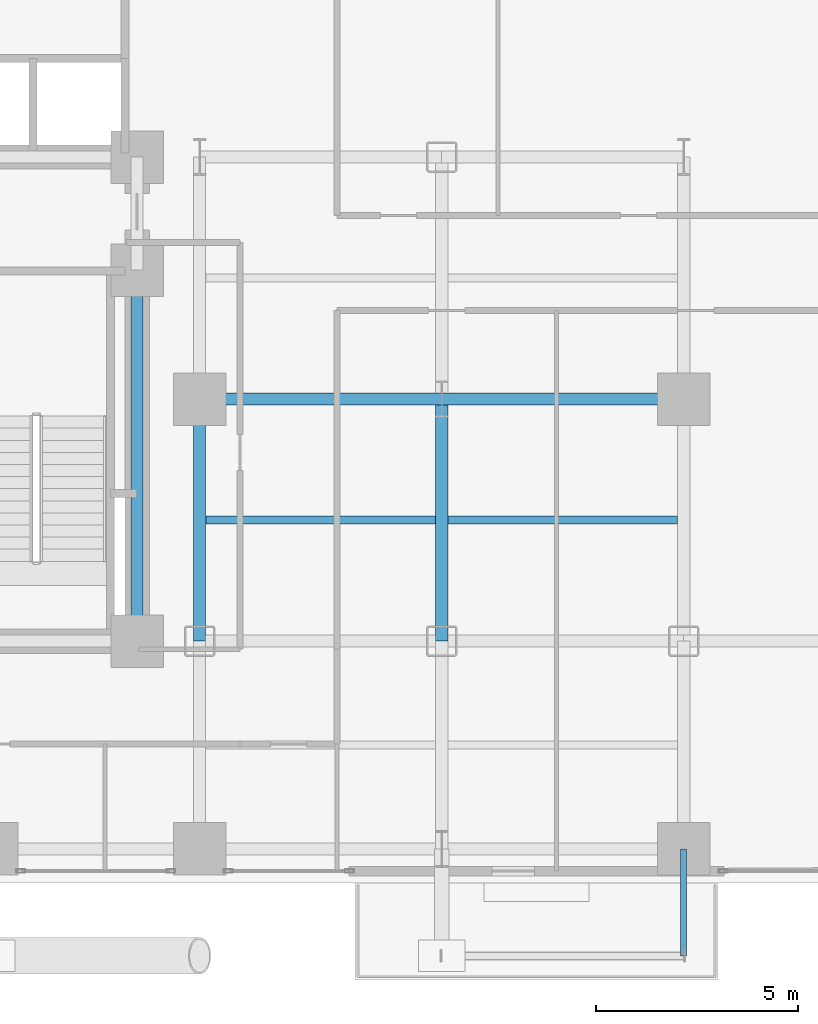
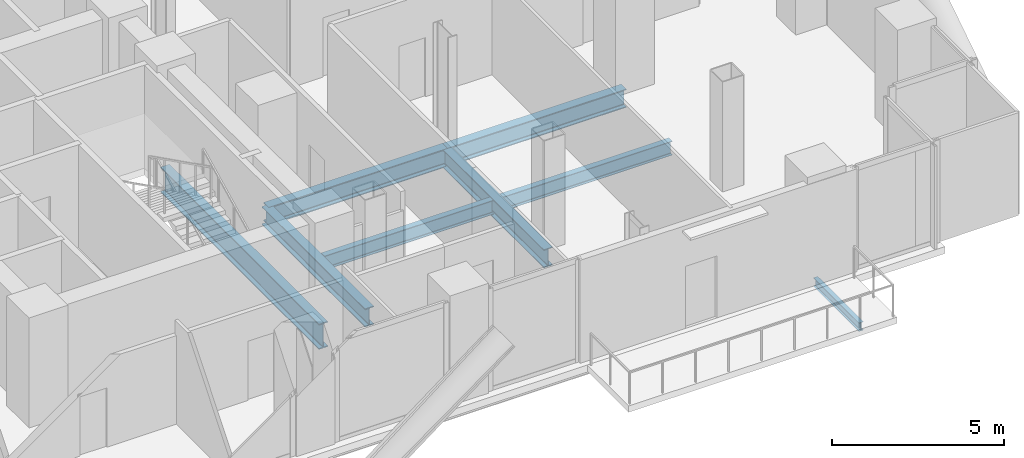
# One storey, part 9 of 27: 8 beams.
"""IFC4 building model written with IfcOpenShell, lengths in metres."""

from ifc_helpers import new_model, si_unit, direction, frame, origin, origin_2d, place, context, subcontext, project, spatial, i_section, extrude, material, material_profile, profile_set, type_object, element, save


model = new_model("IFC4")

# Units and contexts
model_context = context("Model", 3, precision=1e-05, world=origin(), true_north=direction((0.0, 1.0)))
body_context = subcontext(model_context, "Body", "Model", "MODEL_VIEW")
ifc_project = project(units=[si_unit("LENGTHUNIT", "METRE"), si_unit("AREAUNIT", "SQUARE_METRE"), si_unit("VOLUMEUNIT", "CUBIC_METRE"), si_unit("PLANEANGLEUNIT", "RADIAN"), si_unit("MASSUNIT", "GRAM", prefix="KILO"), si_unit("THERMODYNAMICTEMPERATUREUNIT", "KELVIN"), si_unit("POWERUNIT", "WATT")], contexts=[model_context])

# Site, building, storey
site_placement = place(None, origin())
site = spatial("IfcSite", under=ifc_project, at=site_placement, CompositionType="ELEMENT")
building_placement = place(site_placement, origin())
building = spatial("IfcBuilding", under=site, at=building_placement, Name="Svarakhadi Broadcast Tower", CompositionType="ELEMENT")
storey_placement = place(building_placement, frame((0.0, 0.0, 40.199951171875)))
storey = spatial("IfcBuildingStorey", under=building, at=storey_placement, Name="L08", CompositionType="ELEMENT", Elevation=40.199951171875)

# Beams
ifc_material_1 = material(Name="Steel S355J2 (IS 2062 E350C)", Category="steel")
ifc_material_profile_1 = material_profile(ifc_material_1, i_section(OverallWidth=0.199951171875, OverallDepth=0.5, WebThickness=0.01025390625, FlangeThickness=0.01611328125, FilletRadius=0.02099609375, at=origin_2d()), Name="NPB 500x200x91")
ifc_profile_set_1 = profile_set([ifc_material_profile_1], Name="Steel S355J2 (IS 2062 E350C)")
beam_type_1 = type_object("IfcBeamType", Name="Beam_NPB500", PredefinedType="BEAM", material=ifc_profile_set_1)
for number, where, z_axis, x_axis, name in (
    (1, (35.31005859375, 9.0, -0.5), (1.0, 0.0, 0.0), (0.0, 1.0, 0.0), "L08 Secondary Composite Beam SB023"),
    (2, (41.31005859375, 9.0, -0.5), (1.0, 0.0, 0.0), (0.0, 1.0, 0.0), "L08 Secondary Composite Beam SB026"),
):
    element("IfcBeam", number, at=place(storey_placement, frame(where, z_axis=z_axis, x_axis=x_axis)), inside=storey, type_object=beam_type_1, Name=name, PredefinedType="BEAM", context=body_context, shape_type="SweptSolid", body=[
        extrude(i_section(OverallWidth=0.199951171875, OverallDepth=0.5, WebThickness=0.01025390625, FlangeThickness=0.01611328125, FilletRadius=0.02099609375, at=origin_2d()), origin(), (0.0, 0.0, 1.0), 5.679931640625),
    ])
ifc_material_profile_2 = material_profile(ifc_material_1, i_section(OverallWidth=0.300048828125, OverallDepth=0.64990234375, WebThickness=0.01611328125, FlangeThickness=0.031005859375, FilletRadius=0.027099609375, at=origin_2d()), Name="WPB 650x300x225")
ifc_profile_set_2 = profile_set([ifc_material_profile_2], Name="Steel S355J2 (IS 2062 E350C)")
beam_type_2 = type_object("IfcBeamType", Name="Girder_WPB650", PredefinedType="USERDEFINED", material=ifc_profile_set_2)
for number, where, z_axis, x_axis, name in (
    (3, (35.14990234375, 12.0, -0.574951171875), (1.0, 0.0, 0.0), (0.0, 1.0, 0.0), "L08 Primary E-W Girder G023"),
    (4, (41.14990234375, 12.0, -0.574951171875), (1.0, 0.0, 0.0), (0.0, 1.0, 0.0), "L08 Primary E-W Girder G024"),
    (5, (35.14990234375, 6.0, -0.574951171875), (0.0, 1.0, 0.0), (-1.0, 0.0, 0.0), "L08 Primary N-S Girder G077"),
    (6, (41.14990234375, 6.0, -0.574951171875), (0.0, 1.0, 0.0), (-1.0, 0.0, 0.0), "L08 Primary N-S Girder G080"),
):
    element("IfcBeam", number, at=place(storey_placement, frame(where, z_axis=z_axis, x_axis=x_axis)), inside=storey, type_object=beam_type_2, Name=name, ObjectType="GIRDER", PredefinedType="USERDEFINED", context=body_context, shape_type="SweptSolid", body=[
        extrude(i_section(OverallWidth=0.300048828125, OverallDepth=0.64990234375, WebThickness=0.01611328125, FlangeThickness=0.031005859375, FilletRadius=0.027099609375, at=origin_2d()), origin(), (0.0, 0.0, 1.0), 6.0),
    ])
ifc_material_2 = material(Name="Steel S460ML (IS 2062 E450BR)", Category="steel")
ifc_material_profile_3 = material_profile(ifc_material_2, i_section(OverallWidth=0.300048828125, OverallDepth=0.89990234375, WebThickness=0.0185546875, FlangeThickness=0.034912109375, FilletRadius=0.030029296875, at=origin_2d()), Name="WPB 900x300x291")
ifc_profile_set_3 = profile_set([ifc_material_profile_3], Name="Steel S460ML (IS 2062 E450BR)")
beam_type_3 = type_object("IfcBeamType", Name="Girder_WPB900", PredefinedType="USERDEFINED", material=ifc_profile_set_3)
beam_1_placement = place(storey_placement, frame((33.60009765625, 6.0, -0.699951171875), z_axis=(0.0, 1.0, 0.0), x_axis=(-1.0, 0.0, 0.0)))
element("IfcBeam", 7, at=beam_1_placement, inside=storey, type_object=beam_type_3, Name="L08 Primary N-S Girder G074", ObjectType="GIRDER", PredefinedType="USERDEFINED", context=body_context, shape_type="SweptSolid", body=[
    extrude(i_section(OverallWidth=0.300048828125, OverallDepth=0.89990234375, WebThickness=0.0185546875, FlangeThickness=0.034912109375, FilletRadius=0.030029296875, at=origin_2d()), origin(), (0.0, 0.0, 1.0), 9.199951171875),
])
ifc_material_profile_4 = material_profile(ifc_material_1, i_section(OverallWidth=0.14990234375, OverallDepth=0.300048828125, WebThickness=0.007080078125, FlangeThickness=0.0107421875, FilletRadius=0.014892578125, at=origin_2d()), Name="NPB 300x150x37")
ifc_profile_set_4 = profile_set([ifc_material_profile_4], Name="Steel S355J2 (IS 2062 E350C)")
beam_type_4 = type_object("IfcBeamType", Name="Spandrel_NPB300", PredefinedType="SPANDREL", material=ifc_profile_set_4)
beam_2_placement = place(storey_placement, frame((47.14990234375, 0.85009765625, -0.39990234375), z_axis=(0.0, -1.0, 0.0), x_axis=(1.0, 0.0, 0.0)))
element("IfcBeam", 8, at=beam_2_placement, inside=storey, type_object=beam_type_4, Name="L08 Balcony Cantilever Bracket 1B", PredefinedType="SPANDREL", context=body_context, shape_type="SweptSolid", body=[
    extrude(i_section(OverallWidth=0.14990234375, OverallDepth=0.300048828125, WebThickness=0.007080078125, FlangeThickness=0.0107421875, FilletRadius=0.014892578125, at=origin_2d()), origin(), (0.0, 0.0, 1.0), 2.650146484375),
])

save(model, "model.ifc")
